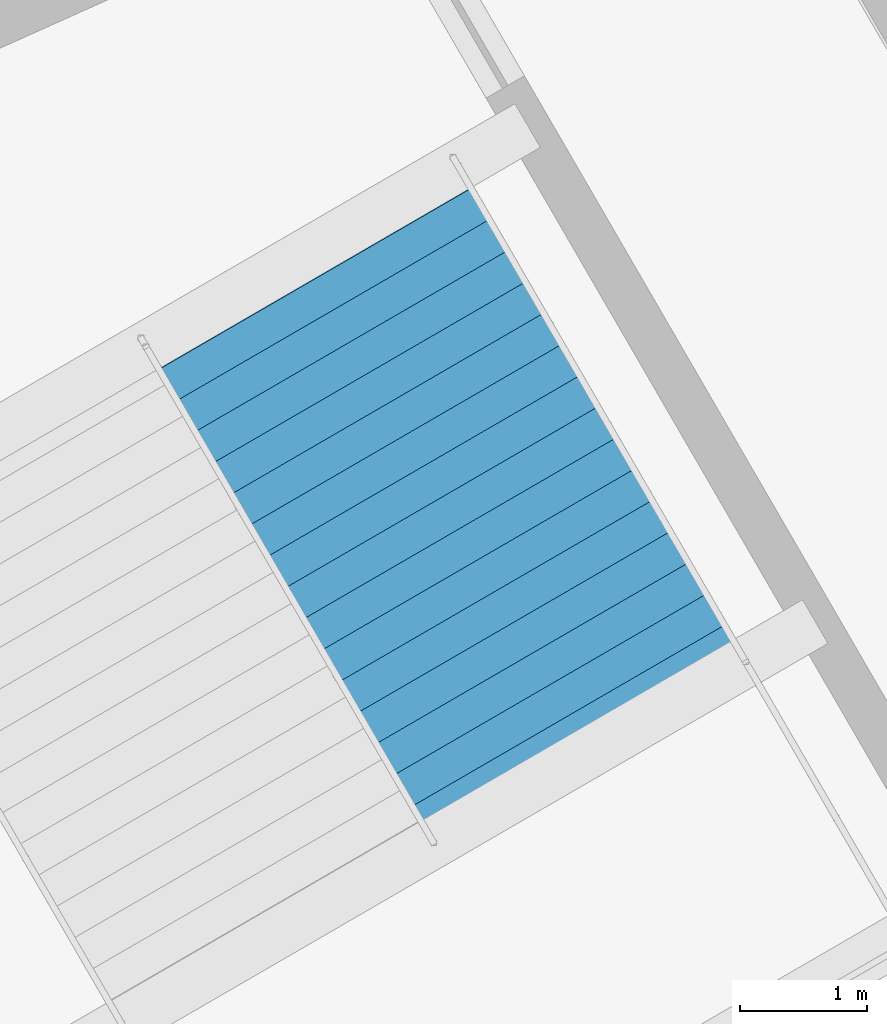
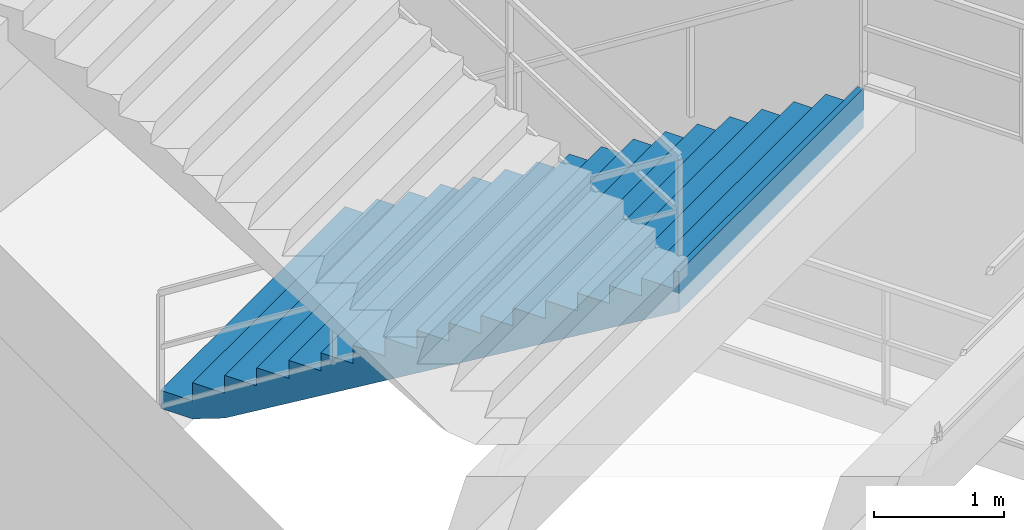
# One storey, part 22 of 48: 1 stair flight, 1 element without a shape of its own.
"""IFC4 building model written with IfcOpenShell, lengths in metres."""

from ifc_helpers import new_model, si_unit, direction, frame, origin, place, context, subcontext, project, spatial, polygons, material, type_object, element, aggregate, save


model = new_model("IFC4")

# Units and contexts
model_context = context("Model", 3, precision=1e-05, world=origin(), true_north=direction((0.0, 1.0)))
body_context = subcontext(model_context, "Body", "Model", "MODEL_VIEW")
ifc_project = project(units=[si_unit("LENGTHUNIT", "METRE"), si_unit("AREAUNIT", "SQUARE_METRE"), si_unit("VOLUMEUNIT", "CUBIC_METRE"), si_unit("PLANEANGLEUNIT", "RADIAN"), si_unit("MASSUNIT", "GRAM", prefix="KILO")], contexts=[model_context])

# Site, building, storey
site_placement = place(None, origin())
site = spatial("IfcSite", under=ifc_project, at=site_placement, CompositionType="ELEMENT")
building_placement = place(site_placement, origin())
building = spatial("IfcBuilding", under=site, at=building_placement, Name="Kazemori Nagisa Stadium", CompositionType="ELEMENT")
storey_placement = place(building_placement, origin())
storey = spatial("IfcBuildingStorey", under=building, at=storey_placement, Name="L00", CompositionType="ELEMENT", Elevation=0.0)

# Stair, stair flight
ifc_material = material(Name="Concrete C36/45 (Fc36)", Category="concrete")
stair_type = type_object("IfcStairType", Name="Stair_CORE_34", PredefinedType="TWO_STRAIGHT_RUN_STAIR", material=ifc_material)
stair_placement = place(storey_placement, origin())
stair = element("IfcStair", 1, at=stair_placement, inside=storey, type_object=stair_type, Name="Exit stair ST09 L00", PredefinedType="TWO_STRAIGHT_RUN_STAIR")
stair_flight_type = type_object("IfcStairFlightType", Name="Flight_CORE_17", PredefinedType="STRAIGHT", material=ifc_material)
stair_flight_placement = place(storey_placement, frame((43.585693359375, 63.55029296875, 0.0), z_axis=(0.0, 0.0, 1.0), x_axis=(0.501612320914, -0.865092526559, 0.0)))
stair_flight = element("IfcStairFlight", 2, at=stair_flight_placement, type_object=stair_flight_type, Name="Exit stair ST09 L00 flight 1", NumberOfRisers=17, NumberOfTreads=16, PredefinedType="STRAIGHT", RiserHeight=0.17, TreadLength=0.285, context=body_context, shape_type="Tessellation", body=[
    polygons([(0.0, -1.425048828125, 0.0), (0.0, -1.425048828125, 0.169921875), (0.284912109375, -1.425048828125, 0.169921875), (0.284912109375, -1.425048828125, 0.340087890625), (0.570068359375, -1.425048828125, 0.340087890625), (0.570068359375, -1.425048828125, 0.510009765625), (0.85498046875, -1.425048828125, 0.510009765625), (0.85498046875, -1.425048828125, 0.679931640625), (1.139892578125, -1.425048828125, 0.679931640625), (1.139892578125, -1.425048828125, 0.85009765625), (1.425048828125, -1.425048828125, 0.85009765625), (1.425048828125, -1.425048828125, 1.02001953125), (1.7099609375, -1.425048828125, 1.02001953125), (1.7099609375, -1.425048828125, 1.18994140625), (1.9951171875, -1.425048828125, 1.18994140625), (1.9951171875, -1.425048828125, 1.360107421875), (2.280029296875, -1.425048828125, 1.360107421875), (2.280029296875, -1.425048828125, 1.530029296875), (2.56494140625, -1.425048828125, 1.530029296875), (2.56494140625, -1.425048828125, 1.699951171875), (2.85009765625, -1.425048828125, 1.699951171875), (2.85009765625, -1.425048828125, 1.8701171875), (3.135009765625, -1.425048828125, 1.8701171875), (3.135009765625, -1.425048828125, 2.0400390625), (3.419921875, -1.425048828125, 2.0400390625), (3.419921875, -1.425048828125, 2.2099609375), (3.705078125, -1.425048828125, 2.2099609375), (3.705078125, -1.425048828125, 2.3798828125), (3.989990234375, -1.425048828125, 2.3798828125), (3.989990234375, -1.425048828125, 2.550048828125), (4.27490234375, -1.425048828125, 2.550048828125), (4.27490234375, -1.425048828125, 2.719970703125), (4.56005859375, -1.425048828125, 2.719970703125), (4.56005859375, -1.425048828125, 2.889892578125), (4.610107421875, -1.425048828125, 2.889892578125), (4.610107421875, -1.425048828125, 2.51708984375), (4.56005859375, -1.425048828125, 2.487060546875), (4.27490234375, -1.425048828125, 2.317138671875), (3.989990234375, -1.425048828125, 2.147216796875), (3.705078125, -1.425048828125, 1.977294921875), (3.419921875, -1.425048828125, 1.80712890625), (3.135009765625, -1.425048828125, 1.63720703125), (2.85009765625, -1.425048828125, 1.46728515625), (2.56494140625, -1.425048828125, 1.297119140625), (2.280029296875, -1.425048828125, 1.127197265625), (1.9951171875, -1.425048828125, 0.957275390625), (1.7099609375, -1.425048828125, 0.787109375), (1.425048828125, -1.425048828125, 0.6171875), (1.139892578125, -1.425048828125, 0.447265625), (0.85498046875, -1.425048828125, 0.277099609375), (0.570068359375, -1.425048828125, 0.107177734375), (0.284912109375, -1.425048828125, 0.0), (0.0, -0.08544921875, 0.0), (0.0, -0.08544921875, 0.169921875), (0.284912109375, -0.08544921875, 0.169921875), (0.284912109375, -0.08544921875, 0.340087890625), (0.570068359375, -0.08544921875, 0.340087890625), (0.570068359375, -0.08544921875, 0.510009765625), (0.85498046875, -0.08544921875, 0.510009765625), (0.85498046875, -0.08544921875, 0.679931640625), (1.139892578125, -0.08544921875, 0.679931640625), (1.139892578125, -0.08544921875, 0.85009765625), (1.425048828125, -0.08544921875, 0.85009765625), (1.425048828125, -0.08544921875, 1.02001953125), (1.7099609375, -0.08544921875, 1.02001953125), (1.7099609375, -0.08544921875, 1.18994140625), (1.9951171875, -0.08544921875, 1.18994140625), (1.9951171875, -0.08544921875, 1.360107421875), (2.280029296875, -0.08544921875, 1.360107421875), (2.280029296875, -0.08544921875, 1.530029296875), (2.56494140625, -0.08544921875, 1.530029296875), (2.56494140625, -0.08544921875, 1.699951171875), (2.85009765625, -0.08544921875, 1.699951171875), (2.85009765625, -0.08544921875, 1.8701171875), (3.135009765625, -0.08544921875, 1.8701171875), (3.135009765625, -0.08544921875, 2.0400390625), (3.419921875, -0.08544921875, 2.0400390625), (3.419921875, -0.08544921875, 2.2099609375), (3.705078125, -0.08544921875, 2.2099609375), (3.705078125, -0.08544921875, 2.3798828125), (3.989990234375, -0.08544921875, 2.3798828125), (3.989990234375, -0.08544921875, 2.550048828125), (4.27490234375, -0.08544921875, 2.550048828125), (4.27490234375, -0.08544921875, 2.719970703125), (4.56005859375, -0.08544921875, 2.719970703125), (4.56005859375, -0.08544921875, 2.889892578125), (4.610107421875, -0.08544921875, 2.889892578125), (4.610107421875, -0.08544921875, 2.51708984375), (4.56005859375, -0.08544921875, 2.487060546875), (4.27490234375, -0.08544921875, 2.317138671875), (3.989990234375, -0.08544921875, 2.147216796875), (3.705078125, -0.08544921875, 1.977294921875), (3.419921875, -0.08544921875, 1.80712890625), (3.135009765625, -0.08544921875, 1.63720703125), (2.85009765625, -0.08544921875, 1.46728515625), (2.56494140625, -0.08544921875, 1.297119140625), (2.280029296875, -0.08544921875, 1.127197265625), (1.9951171875, -0.08544921875, 0.957275390625), (1.7099609375, -0.08544921875, 0.787109375), (1.425048828125, -0.08544921875, 0.6171875), (1.139892578125, -0.08544921875, 0.447265625), (0.85498046875, -0.08544921875, 0.277099609375), (0.570068359375, -0.08544921875, 0.107177734375), (0.284912109375, -0.08544921875, 0.0), (0.0, 0.0, 0.0), (0.0, 0.0, 0.169921875), (0.284912109375, 0.0, 0.169921875), (0.284912109375, 0.0, 0.340087890625), (0.570068359375, 0.0, 0.340087890625), (0.570068359375, 0.0, 0.510009765625), (0.85498046875, 0.0, 0.510009765625), (0.85498046875, 0.0, 0.679931640625), (1.139892578125, 0.0, 0.679931640625), (1.139892578125, 0.0, 0.85009765625), (1.425048828125, 0.0, 0.85009765625), (1.425048828125, 0.0, 1.02001953125), (1.7099609375, 0.0, 1.02001953125), (1.7099609375, 0.0, 1.18994140625), (1.9951171875, 0.0, 1.18994140625), (1.9951171875, 0.0, 1.360107421875), (2.280029296875, 0.0, 1.360107421875), (2.280029296875, 0.0, 1.530029296875), (2.56494140625, 0.0, 1.530029296875), (2.56494140625, 0.0, 1.699951171875), (2.85009765625, 0.0, 1.699951171875), (2.85009765625, 0.0, 1.8701171875), (3.135009765625, 0.0, 1.8701171875), (3.135009765625, 0.0, 2.0400390625), (3.419921875, 0.0, 2.0400390625), (3.419921875, 0.0, 2.2099609375), (3.705078125, 0.0, 2.2099609375), (3.705078125, 0.0, 2.3798828125), (3.989990234375, 0.0, 2.3798828125), (3.989990234375, 0.0, 2.550048828125), (4.27490234375, 0.0, 2.550048828125), (4.27490234375, 0.0, 2.719970703125), (4.56005859375, 0.0, 2.719970703125), (4.56005859375, 0.0, 2.889892578125), (4.610107421875, 0.0, 2.889892578125), (4.610107421875, 0.0, 2.51708984375), (4.56005859375, 0.0, 2.487060546875), (4.27490234375, 0.0, 2.317138671875), (3.989990234375, 0.0, 2.147216796875), (3.705078125, 0.0, 1.977294921875), (3.419921875, 0.0, 1.80712890625), (3.135009765625, 0.0, 1.63720703125), (2.85009765625, 0.0, 1.46728515625), (2.56494140625, 0.0, 1.297119140625), (2.280029296875, 0.0, 1.127197265625), (1.9951171875, 0.0, 0.957275390625), (1.7099609375, 0.0, 0.787109375), (1.425048828125, 0.0, 0.6171875), (1.139892578125, 0.0, 0.447265625), (0.85498046875, 0.0, 0.277099609375), (0.570068359375, 0.0, 0.107177734375), (0.284912109375, 0.0, 0.0), (0.0, 0.08544921875, 0.0), (0.0, 0.08544921875, 0.169921875), (0.284912109375, 0.08544921875, 0.169921875), (0.284912109375, 0.08544921875, 0.340087890625), (0.570068359375, 0.08544921875, 0.340087890625), (0.570068359375, 0.08544921875, 0.510009765625), (0.85498046875, 0.08544921875, 0.510009765625), (0.85498046875, 0.08544921875, 0.679931640625), (1.139892578125, 0.08544921875, 0.679931640625), (1.139892578125, 0.08544921875, 0.85009765625), (1.425048828125, 0.08544921875, 0.85009765625), (1.425048828125, 0.08544921875, 1.02001953125), (1.7099609375, 0.08544921875, 1.02001953125), (1.7099609375, 0.08544921875, 1.18994140625), (1.9951171875, 0.08544921875, 1.18994140625), (1.9951171875, 0.08544921875, 1.360107421875), (2.280029296875, 0.08544921875, 1.360107421875), (2.280029296875, 0.08544921875, 1.530029296875), (2.56494140625, 0.08544921875, 1.530029296875), (2.56494140625, 0.08544921875, 1.699951171875), (2.85009765625, 0.08544921875, 1.699951171875), (2.85009765625, 0.08544921875, 1.8701171875), (3.135009765625, 0.08544921875, 1.8701171875), (3.135009765625, 0.08544921875, 2.0400390625), (3.419921875, 0.08544921875, 2.0400390625), (3.419921875, 0.08544921875, 2.2099609375), (3.705078125, 0.08544921875, 2.2099609375), (3.705078125, 0.08544921875, 2.3798828125), (3.989990234375, 0.08544921875, 2.3798828125), (3.989990234375, 0.08544921875, 2.550048828125), (4.27490234375, 0.08544921875, 2.550048828125), (4.27490234375, 0.08544921875, 2.719970703125), (4.56005859375, 0.08544921875, 2.719970703125), (4.56005859375, 0.08544921875, 2.889892578125), (4.610107421875, 0.08544921875, 2.889892578125), (4.610107421875, 0.08544921875, 2.51708984375), (4.56005859375, 0.08544921875, 2.487060546875), (4.27490234375, 0.08544921875, 2.317138671875), (3.989990234375, 0.08544921875, 2.147216796875), (3.705078125, 0.08544921875, 1.977294921875), (3.419921875, 0.08544921875, 1.80712890625), (3.135009765625, 0.08544921875, 1.63720703125), (2.85009765625, 0.08544921875, 1.46728515625), (2.56494140625, 0.08544921875, 1.297119140625), (2.280029296875, 0.08544921875, 1.127197265625), (1.9951171875, 0.08544921875, 0.957275390625), (1.7099609375, 0.08544921875, 0.787109375), (1.425048828125, 0.08544921875, 0.6171875), (1.139892578125, 0.08544921875, 0.447265625), (0.85498046875, 0.08544921875, 0.277099609375), (0.570068359375, 0.08544921875, 0.107177734375), (0.284912109375, 0.08544921875, 0.0), (0.0, 1.425048828125, 0.0), (0.0, 1.425048828125, 0.169921875), (0.284912109375, 1.425048828125, 0.169921875), (0.284912109375, 1.425048828125, 0.340087890625), (0.570068359375, 1.425048828125, 0.340087890625), (0.570068359375, 1.425048828125, 0.510009765625), (0.85498046875, 1.425048828125, 0.510009765625), (0.85498046875, 1.425048828125, 0.679931640625), (1.139892578125, 1.425048828125, 0.679931640625), (1.139892578125, 1.425048828125, 0.85009765625), (1.425048828125, 1.425048828125, 0.85009765625), (1.425048828125, 1.425048828125, 1.02001953125), (1.7099609375, 1.425048828125, 1.02001953125), (1.7099609375, 1.425048828125, 1.18994140625), (1.9951171875, 1.425048828125, 1.18994140625), (1.9951171875, 1.425048828125, 1.360107421875), (2.280029296875, 1.425048828125, 1.360107421875), (2.280029296875, 1.425048828125, 1.530029296875), (2.56494140625, 1.425048828125, 1.530029296875), (2.56494140625, 1.425048828125, 1.699951171875), (2.85009765625, 1.425048828125, 1.699951171875), (2.85009765625, 1.425048828125, 1.8701171875), (3.135009765625, 1.425048828125, 1.8701171875), (3.135009765625, 1.425048828125, 2.0400390625), (3.419921875, 1.425048828125, 2.0400390625), (3.419921875, 1.425048828125, 2.2099609375), (3.705078125, 1.425048828125, 2.2099609375), (3.705078125, 1.425048828125, 2.3798828125), (3.989990234375, 1.425048828125, 2.3798828125), (3.989990234375, 1.425048828125, 2.550048828125), (4.27490234375, 1.425048828125, 2.550048828125), (4.27490234375, 1.425048828125, 2.719970703125), (4.56005859375, 1.425048828125, 2.719970703125), (4.56005859375, 1.425048828125, 2.889892578125), (4.610107421875, 1.425048828125, 2.889892578125), (4.610107421875, 1.425048828125, 2.51708984375), (4.56005859375, 1.425048828125, 2.487060546875), (4.27490234375, 1.425048828125, 2.317138671875), (3.989990234375, 1.425048828125, 2.147216796875), (3.705078125, 1.425048828125, 1.977294921875), (3.419921875, 1.425048828125, 1.80712890625), (3.135009765625, 1.425048828125, 1.63720703125), (2.85009765625, 1.425048828125, 1.46728515625), (2.56494140625, 1.425048828125, 1.297119140625), (2.280029296875, 1.425048828125, 1.127197265625), (1.9951171875, 1.425048828125, 0.957275390625), (1.7099609375, 1.425048828125, 0.787109375), (1.425048828125, 1.425048828125, 0.6171875), (1.139892578125, 1.425048828125, 0.447265625), (0.85498046875, 1.425048828125, 0.277099609375), (0.570068359375, 1.425048828125, 0.107177734375), (0.284912109375, 1.425048828125, 0.0)], [[[1, 2, 54]], [[1, 54, 53]], [[2, 3, 55]], [[2, 55, 54]], [[3, 4, 56]], [[3, 56, 55]], [[4, 5, 57]], [[4, 57, 56]], [[5, 6, 58]], [[5, 58, 57]], [[6, 7, 59]], [[6, 59, 58]], [[7, 8, 60]], [[7, 60, 59]], [[8, 9, 61]], [[8, 61, 60]], [[9, 10, 62]], [[9, 62, 61]], [[10, 11, 63]], [[10, 63, 62]], [[11, 12, 64]], [[11, 64, 63]], [[12, 13, 65]], [[12, 65, 64]], [[13, 14, 66]], [[13, 66, 65]], [[14, 15, 67]], [[14, 67, 66]], [[15, 16, 68]], [[15, 68, 67]], [[16, 17, 69]], [[16, 69, 68]], [[17, 18, 70]], [[17, 70, 69]], [[18, 19, 71]], [[18, 71, 70]], [[19, 20, 72]], [[19, 72, 71]], [[20, 21, 73]], [[20, 73, 72]], [[21, 22, 74]], [[21, 74, 73]], [[22, 23, 75]], [[22, 75, 74]], [[23, 24, 76]], [[23, 76, 75]], [[24, 25, 77]], [[24, 77, 76]], [[25, 26, 78]], [[25, 78, 77]], [[26, 27, 79]], [[26, 79, 78]], [[27, 28, 80]], [[27, 80, 79]], [[28, 29, 81]], [[28, 81, 80]], [[29, 30, 82]], [[29, 82, 81]], [[30, 31, 83]], [[30, 83, 82]], [[31, 32, 84]], [[31, 84, 83]], [[32, 33, 85]], [[32, 85, 84]], [[33, 34, 86]], [[33, 86, 85]], [[34, 35, 87]], [[34, 87, 86]], [[35, 36, 88]], [[35, 88, 87]], [[36, 37, 89]], [[36, 89, 88]], [[37, 38, 90]], [[37, 90, 89]], [[38, 39, 91]], [[38, 91, 90]], [[39, 40, 92]], [[39, 92, 91]], [[40, 41, 93]], [[40, 93, 92]], [[41, 42, 94]], [[41, 94, 93]], [[42, 43, 95]], [[42, 95, 94]], [[43, 44, 96]], [[43, 96, 95]], [[44, 45, 97]], [[44, 97, 96]], [[45, 46, 98]], [[45, 98, 97]], [[46, 47, 99]], [[46, 99, 98]], [[47, 48, 100]], [[47, 100, 99]], [[48, 49, 101]], [[48, 101, 100]], [[49, 50, 102]], [[49, 102, 101]], [[50, 51, 103]], [[50, 103, 102]], [[51, 52, 104]], [[51, 104, 103]], [[52, 1, 53]], [[52, 53, 104]], [[53, 54, 106]], [[53, 106, 105]], [[54, 55, 107]], [[54, 107, 106]], [[55, 56, 108]], [[55, 108, 107]], [[56, 57, 109]], [[56, 109, 108]], [[57, 58, 110]], [[57, 110, 109]], [[58, 59, 111]], [[58, 111, 110]], [[59, 60, 112]], [[59, 112, 111]], [[60, 61, 113]], [[60, 113, 112]], [[61, 62, 114]], [[61, 114, 113]], [[62, 63, 115]], [[62, 115, 114]], [[63, 64, 116]], [[63, 116, 115]], [[64, 65, 117]], [[64, 117, 116]], [[65, 66, 118]], [[65, 118, 117]], [[66, 67, 119]], [[66, 119, 118]], [[67, 68, 120]], [[67, 120, 119]], [[68, 69, 121]], [[68, 121, 120]], [[69, 70, 122]], [[69, 122, 121]], [[70, 71, 123]], [[70, 123, 122]], [[71, 72, 124]], [[71, 124, 123]], [[72, 73, 125]], [[72, 125, 124]], [[73, 74, 126]], [[73, 126, 125]], [[74, 75, 127]], [[74, 127, 126]], [[75, 76, 128]], [[75, 128, 127]], [[76, 77, 129]], [[76, 129, 128]], [[77, 78, 130]], [[77, 130, 129]], [[78, 79, 131]], [[78, 131, 130]], [[79, 80, 132]], [[79, 132, 131]], [[80, 81, 133]], [[80, 133, 132]], [[81, 82, 134]], [[81, 134, 133]], [[82, 83, 135]], [[82, 135, 134]], [[83, 84, 136]], [[83, 136, 135]], [[84, 85, 137]], [[84, 137, 136]], [[85, 86, 138]], [[85, 138, 137]], [[86, 87, 139]], [[86, 139, 138]], [[87, 88, 140]], [[87, 140, 139]], [[88, 89, 141]], [[88, 141, 140]], [[89, 90, 142]], [[89, 142, 141]], [[90, 91, 143]], [[90, 143, 142]], [[91, 92, 144]], [[91, 144, 143]], [[92, 93, 145]], [[92, 145, 144]], [[93, 94, 146]], [[93, 146, 145]], [[94, 95, 147]], [[94, 147, 146]], [[95, 96, 148]], [[95, 148, 147]], [[96, 97, 149]], [[96, 149, 148]], [[97, 98, 150]], [[97, 150, 149]], [[98, 99, 151]], [[98, 151, 150]], [[99, 100, 152]], [[99, 152, 151]], [[100, 101, 153]], [[100, 153, 152]], [[101, 102, 154]], [[101, 154, 153]], [[102, 103, 155]], [[102, 155, 154]], [[103, 104, 156]], [[103, 156, 155]], [[104, 53, 105]], [[104, 105, 156]], [[105, 106, 158]], [[105, 158, 157]], [[106, 107, 159]], [[106, 159, 158]], [[107, 108, 160]], [[107, 160, 159]], [[108, 109, 161]], [[108, 161, 160]], [[109, 110, 162]], [[109, 162, 161]], [[110, 111, 163]], [[110, 163, 162]], [[111, 112, 164]], [[111, 164, 163]], [[112, 113, 165]], [[112, 165, 164]], [[113, 114, 166]], [[113, 166, 165]], [[114, 115, 167]], [[114, 167, 166]], [[115, 116, 168]], [[115, 168, 167]], [[116, 117, 169]], [[116, 169, 168]], [[117, 118, 170]], [[117, 170, 169]], [[118, 119, 171]], [[118, 171, 170]], [[119, 120, 172]], [[119, 172, 171]], [[120, 121, 173]], [[120, 173, 172]], [[121, 122, 174]], [[121, 174, 173]], [[122, 123, 175]], [[122, 175, 174]], [[123, 124, 176]], [[123, 176, 175]], [[124, 125, 177]], [[124, 177, 176]], [[125, 126, 178]], [[125, 178, 177]], [[126, 127, 179]], [[126, 179, 178]], [[127, 128, 180]], [[127, 180, 179]], [[128, 129, 181]], [[128, 181, 180]], [[129, 130, 182]], [[129, 182, 181]], [[130, 131, 183]], [[130, 183, 182]], [[131, 132, 184]], [[131, 184, 183]], [[132, 133, 185]], [[132, 185, 184]], [[133, 134, 186]], [[133, 186, 185]], [[134, 135, 187]], [[134, 187, 186]], [[135, 136, 188]], [[135, 188, 187]], [[136, 137, 189]], [[136, 189, 188]], [[137, 138, 190]], [[137, 190, 189]], [[138, 139, 191]], [[138, 191, 190]], [[139, 140, 192]], [[139, 192, 191]], [[140, 141, 193]], [[140, 193, 192]], [[141, 142, 194]], [[141, 194, 193]], [[142, 143, 195]], [[142, 195, 194]], [[143, 144, 196]], [[143, 196, 195]], [[144, 145, 197]], [[144, 197, 196]], [[145, 146, 198]], [[145, 198, 197]], [[146, 147, 199]], [[146, 199, 198]], [[147, 148, 200]], [[147, 200, 199]], [[148, 149, 201]], [[148, 201, 200]], [[149, 150, 202]], [[149, 202, 201]], [[150, 151, 203]], [[150, 203, 202]], [[151, 152, 204]], [[151, 204, 203]], [[152, 153, 205]], [[152, 205, 204]], [[153, 154, 206]], [[153, 206, 205]], [[154, 155, 207]], [[154, 207, 206]], [[155, 156, 208]], [[155, 208, 207]], [[156, 105, 157]], [[156, 157, 208]], [[157, 158, 210]], [[157, 210, 209]], [[158, 159, 211]], [[158, 211, 210]], [[159, 160, 212]], [[159, 212, 211]], [[160, 161, 213]], [[160, 213, 212]], [[161, 162, 214]], [[161, 214, 213]], [[162, 163, 215]], [[162, 215, 214]], [[163, 164, 216]], [[163, 216, 215]], [[164, 165, 217]], [[164, 217, 216]], [[165, 166, 218]], [[165, 218, 217]], [[166, 167, 219]], [[166, 219, 218]], [[167, 168, 220]], [[167, 220, 219]], [[168, 169, 221]], [[168, 221, 220]], [[169, 170, 222]], [[169, 222, 221]], [[170, 171, 223]], [[170, 223, 222]], [[171, 172, 224]], [[171, 224, 223]], [[172, 173, 225]], [[172, 225, 224]], [[173, 174, 226]], [[173, 226, 225]], [[174, 175, 227]], [[174, 227, 226]], [[175, 176, 228]], [[175, 228, 227]], [[176, 177, 229]], [[176, 229, 228]], [[177, 178, 230]], [[177, 230, 229]], [[178, 179, 231]], [[178, 231, 230]], [[179, 180, 232]], [[179, 232, 231]], [[180, 181, 233]], [[180, 233, 232]], [[181, 182, 234]], [[181, 234, 233]], [[182, 183, 235]], [[182, 235, 234]], [[183, 184, 236]], [[183, 236, 235]], [[184, 185, 237]], [[184, 237, 236]], [[185, 186, 238]], [[185, 238, 237]], [[186, 187, 239]], [[186, 239, 238]], [[187, 188, 240]], [[187, 240, 239]], [[188, 189, 241]], [[188, 241, 240]], [[189, 190, 242]], [[189, 242, 241]], [[190, 191, 243]], [[190, 243, 242]], [[191, 192, 244]], [[191, 244, 243]], [[192, 193, 245]], [[192, 245, 244]], [[193, 194, 246]], [[193, 246, 245]], [[194, 195, 247]], [[194, 247, 246]], [[195, 196, 248]], [[195, 248, 247]], [[196, 197, 249]], [[196, 249, 248]], [[197, 198, 250]], [[197, 250, 249]], [[198, 199, 251]], [[198, 251, 250]], [[199, 200, 252]], [[199, 252, 251]], [[200, 201, 253]], [[200, 253, 252]], [[201, 202, 254]], [[201, 254, 253]], [[202, 203, 255]], [[202, 255, 254]], [[203, 204, 256]], [[203, 256, 255]], [[204, 205, 257]], [[204, 257, 256]], [[205, 206, 258]], [[205, 258, 257]], [[206, 207, 259]], [[206, 259, 258]], [[207, 208, 260]], [[207, 260, 259]], [[208, 157, 209]], [[208, 209, 260]], [[3, 2, 1]], [[209, 210, 211]], [[52, 3, 1]], [[209, 211, 260]], [[51, 3, 52]], [[260, 211, 259]], [[5, 3, 51]], [[259, 211, 213]], [[5, 4, 3]], [[211, 212, 213]], [[50, 5, 51]], [[259, 213, 258]], [[7, 5, 50]], [[258, 213, 215]], [[7, 6, 5]], [[213, 214, 215]], [[49, 7, 50]], [[258, 215, 257]], [[9, 7, 49]], [[257, 215, 217]], [[9, 8, 7]], [[215, 216, 217]], [[48, 9, 49]], [[257, 217, 256]], [[11, 9, 48]], [[256, 217, 219]], [[11, 10, 9]], [[217, 218, 219]], [[47, 11, 48]], [[256, 219, 255]], [[13, 11, 47]], [[255, 219, 221]], [[13, 12, 11]], [[219, 220, 221]], [[46, 13, 47]], [[255, 221, 254]], [[15, 13, 46]], [[254, 221, 223]], [[15, 14, 13]], [[221, 222, 223]], [[45, 15, 46]], [[254, 223, 253]], [[17, 15, 45]], [[253, 223, 225]], [[17, 16, 15]], [[223, 224, 225]], [[44, 17, 45]], [[253, 225, 252]], [[19, 17, 44]], [[252, 225, 227]], [[19, 18, 17]], [[225, 226, 227]], [[43, 19, 44]], [[252, 227, 251]], [[21, 19, 43]], [[251, 227, 229]], [[21, 20, 19]], [[227, 228, 229]], [[42, 21, 43]], [[251, 229, 250]], [[23, 21, 42]], [[250, 229, 231]], [[23, 22, 21]], [[229, 230, 231]], [[41, 23, 42]], [[250, 231, 249]], [[25, 23, 41]], [[249, 231, 233]], [[25, 24, 23]], [[231, 232, 233]], [[40, 25, 41]], [[249, 233, 248]], [[27, 25, 40]], [[248, 233, 235]], [[27, 26, 25]], [[233, 234, 235]], [[39, 27, 40]], [[248, 235, 247]], [[29, 27, 39]], [[247, 235, 237]], [[29, 28, 27]], [[235, 236, 237]], [[38, 29, 39]], [[247, 237, 246]], [[31, 29, 38]], [[246, 237, 239]], [[31, 30, 29]], [[237, 238, 239]], [[37, 31, 38]], [[246, 239, 245]], [[33, 31, 37]], [[245, 239, 241]], [[33, 32, 31]], [[239, 240, 241]], [[36, 33, 37]], [[245, 241, 244]], [[35, 33, 36]], [[244, 241, 243]], [[35, 34, 33]], [[241, 242, 243]]], closed=True),
])
aggregate(stair, [stair_flight])

save(model, "model.ifc")
